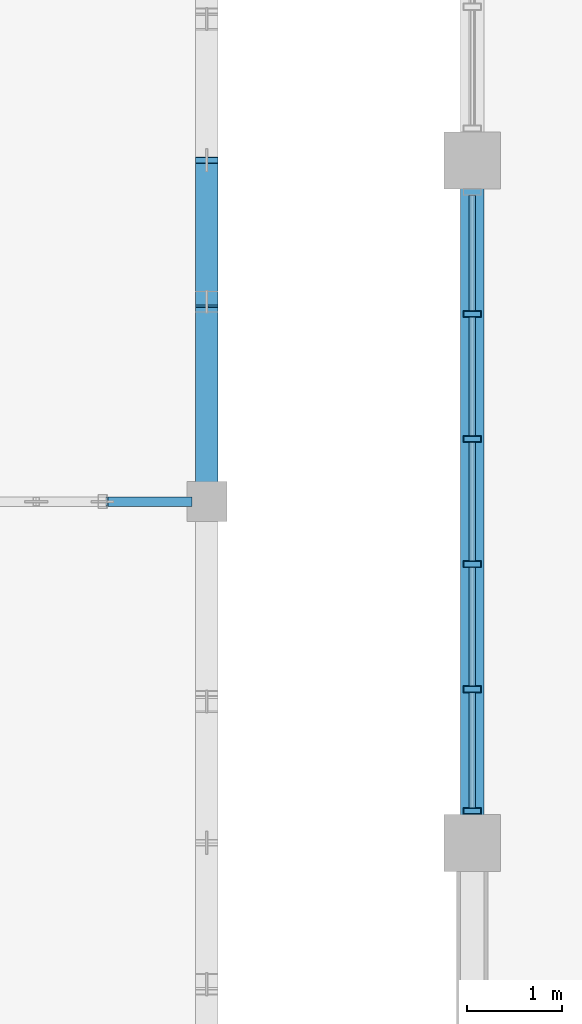
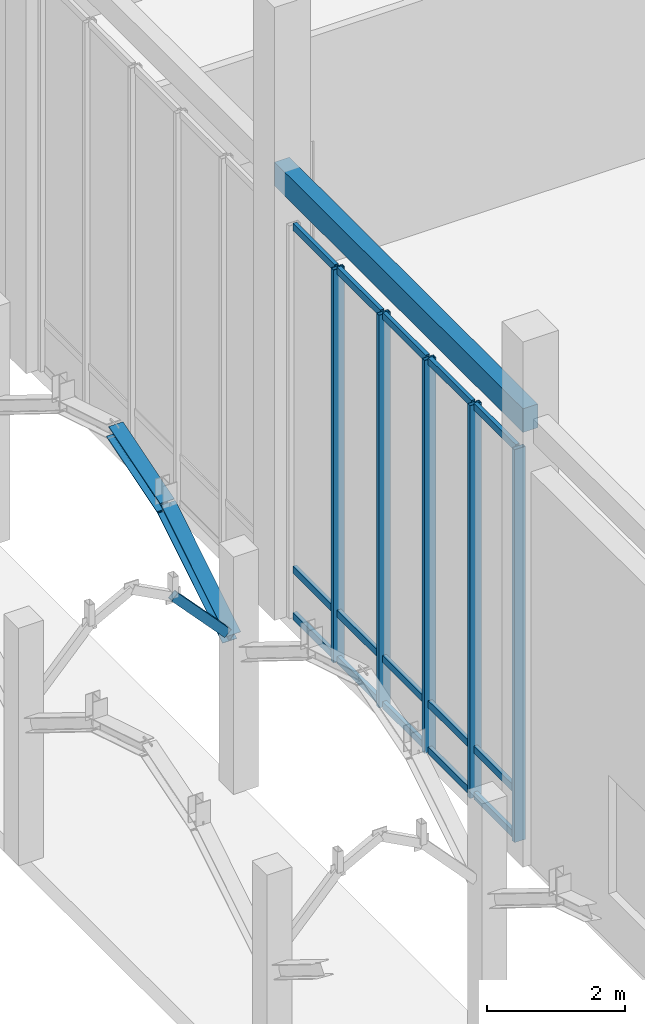
# One storey, part 23 of 138: 23 members, 1 beam, 1 element without a shape of its own.
"""IFC4 building model written with IfcOpenShell, lengths in metres."""

from ifc_helpers import new_model, si_unit, direction, frame, origin, origin_2d, place, context, subcontext, project, spatial, rectangle, hollow_rectangle, i_section, extrude, material, layer, layer_set, material_profile, profile_set, type_object, element, aggregate, save


model = new_model("IFC4")

# Units and contexts
model_context = context("Model", 3, precision=1e-05, world=origin(), true_north=direction((0.0, 1.0)))
body_context = subcontext(model_context, "Body", "Model", "MODEL_VIEW")
ifc_project = project(units=[si_unit("LENGTHUNIT", "METRE"), si_unit("AREAUNIT", "SQUARE_METRE"), si_unit("VOLUMEUNIT", "CUBIC_METRE"), si_unit("PLANEANGLEUNIT", "RADIAN"), si_unit("MASSUNIT", "GRAM", prefix="KILO"), si_unit("THERMODYNAMICTEMPERATUREUNIT", "KELVIN"), si_unit("POWERUNIT", "WATT")], contexts=[model_context])

# Site, building, storey
site_placement = place(None, origin())
site = spatial("IfcSite", under=ifc_project, at=site_placement, CompositionType="ELEMENT")
building_placement = place(site_placement, origin())
building = spatial("IfcBuilding", under=site, at=building_placement, Name="Tavuni Mirador Residences", CompositionType="ELEMENT")
storey_placement = place(building_placement, origin())
storey = spatial("IfcBuildingStorey", under=building, at=storey_placement, Name="L00", CompositionType="ELEMENT", Elevation=0.0)

# Beam
ifc_material_1 = material(Name="Precast concrete C40/50", Category="concrete")
ifc_material_profile_1 = material_profile(ifc_material_1, rectangle(XDim=0.25, YDim=0.419921875, at=origin_2d()), Name="PC 250x420", Category="concrete")
ifc_profile_set_1 = profile_set([ifc_material_profile_1], Name="Precast concrete C40/50")
beam_type = type_object("IfcBeamType", Name="BT-SP420", PredefinedType="SPANDREL", material=ifc_profile_set_1)
beam_placement = place(storey_placement, frame((39.60009765625, 79.199951171875, 7.659912109375), z_axis=(0.0, 1.0, 0.0), x_axis=(-1.0, 0.0, 0.0)))
element("IfcBeam", 1, at=beam_placement, inside=storey, type_object=beam_type, Name="BMY-PAV-HALL-L00-00-01", PredefinedType="SPANDREL", context=body_context, shape_type="SweptSolid", body=[
    extrude(rectangle(XDim=0.25, YDim=0.419921875, at=origin_2d()), origin(), (0.0, 0.0, 1.0), 7.199951171875),
])

# Curtain wall, members
ifc_material_2 = material(Name="Anodised aluminium", Category="aluminium")
ifc_layer = layer(ifc_material_2, 0.199951171875, Name="Anodised aluminium", Category="aluminium")
ifc_layer_set = layer_set([ifc_layer], Name="Anodised aluminium")
curtain_wall_type = type_object("IfcCurtainWallType", Name="CWT-HAL-01", PredefinedType="NOTDEFINED", material=ifc_layer_set)
curtain_wall_placement = place(storey_placement, origin())
curtain_wall = element("IfcCurtainWall", 2, at=curtain_wall_placement, inside=storey, type_object=curtain_wall_type, Name="CW-PAV-HALL-L00-W01", PredefinedType="NOTDEFINED")
ifc_material_profile_2 = material_profile(ifc_material_2, hollow_rectangle(XDim=0.070068359375, YDim=0.18994140625, WallThickness=0.0048828125, at=origin_2d()), Name="ALU 70x190x5.0", Category="aluminium")
ifc_profile_set_2 = profile_set([ifc_material_profile_2], Name="Anodised aluminium")
member_type_1 = type_object("IfcMemberType", Name="CWM-190", PredefinedType="MULLION", material=ifc_profile_set_2)
member_1_placement = place(storey_placement, frame((39.60009765625, 84.780029296875, 0.0), z_axis=(0.0, 0.0, 1.0), x_axis=(0.0, -1.0, 0.0)))
member_1 = element("IfcMember", 3, at=member_1_placement, type_object=member_type_1, Name="CW-06 mullion 2", PredefinedType="MULLION", context=body_context, shape_type="SweptSolid", body=[
    extrude(hollow_rectangle(XDim=0.070068359375, YDim=0.18994140625, WallThickness=0.0048828125, at=origin_2d()), origin(), (0.0, 0.0, 1.0), 6.949951171875),
])
member_2_placement = place(storey_placement, frame((39.60009765625, 83.4599609375, 0.0), z_axis=(0.0, 0.0, 1.0), x_axis=(0.0, -1.0, 0.0)))
member_2 = element("IfcMember", 4, at=member_2_placement, type_object=member_type_1, Name="CW-06 mullion 3", PredefinedType="MULLION", context=body_context, shape_type="SweptSolid", body=[
    extrude(hollow_rectangle(XDim=0.070068359375, YDim=0.18994140625, WallThickness=0.0048828125, at=origin_2d()), origin(), (0.0, 0.0, 1.0), 6.949951171875),
])
member_3_placement = place(storey_placement, frame((39.60009765625, 82.139892578125, 0.0), z_axis=(0.0, 0.0, 1.0), x_axis=(0.0, -1.0, 0.0)))
member_3 = element("IfcMember", 5, at=member_3_placement, type_object=member_type_1, Name="CW-06 mullion 4", PredefinedType="MULLION", context=body_context, shape_type="SweptSolid", body=[
    extrude(hollow_rectangle(XDim=0.070068359375, YDim=0.18994140625, WallThickness=0.0048828125, at=origin_2d()), origin(), (0.0, 0.0, 1.0), 6.949951171875),
])
member_4_placement = place(storey_placement, frame((39.60009765625, 80.820068359375, 0.0), z_axis=(0.0, 0.0, 1.0), x_axis=(0.0, -1.0, 0.0)))
member_4 = element("IfcMember", 6, at=member_4_placement, type_object=member_type_1, Name="CW-06 mullion 5", PredefinedType="MULLION", context=body_context, shape_type="SweptSolid", body=[
    extrude(hollow_rectangle(XDim=0.070068359375, YDim=0.18994140625, WallThickness=0.0048828125, at=origin_2d()), origin(), (0.0, 0.0, 1.0), 6.949951171875),
])
member_5_placement = place(storey_placement, frame((39.60009765625, 79.534912109375, 0.0), z_axis=(0.0, 0.0, 1.0), x_axis=(0.0, -1.0, 0.0)))
member_5 = element("IfcMember", 7, at=member_5_placement, type_object=member_type_1, Name="CW-06 mullion 6", PredefinedType="MULLION", context=body_context, shape_type="SweptSolid", body=[
    extrude(hollow_rectangle(XDim=0.070068359375, YDim=0.18994140625, WallThickness=0.0048828125, at=origin_2d()), origin(), (0.0, 0.0, 1.0), 6.949951171875),
])
ifc_material_profile_3 = material_profile(ifc_material_2, hollow_rectangle(XDim=0.06494140625, YDim=0.125, WallThickness=0.00439453125, at=origin_2d()), Name="ALU 65x125x4.5", Category="aluminium")
ifc_profile_set_3 = profile_set([ifc_material_profile_3], Name="Anodised aluminium")
member_type_2 = type_object("IfcMemberType", Name="CWT-125", PredefinedType="USERDEFINED", material=ifc_profile_set_3)
member_6_placement = place(storey_placement, frame((39.60009765625, 86.030029296875, 0.032470703125), z_axis=(0.0, -1.0, 0.0), x_axis=(1.0, 0.0, 0.0)))
member_6 = element("IfcMember", 8, at=member_6_placement, type_object=member_type_2, Name="CW-06 transom 1.1", ObjectType="TRANSOM", PredefinedType="USERDEFINED", context=body_context, shape_type="SweptSolid", body=[
    extrude(hollow_rectangle(XDim=0.06494140625, YDim=0.125, WallThickness=0.00439453125, at=origin_2d()), origin(), (0.0, 0.0, 1.0), 1.215087890625),
])
member_7_placement = place(storey_placement, frame((39.60009765625, 86.030029296875, 0.85009765625), z_axis=(0.0, -1.0, 0.0), x_axis=(1.0, 0.0, 0.0)))
member_7 = element("IfcMember", 9, at=member_7_placement, type_object=member_type_2, Name="CW-06 transom 1.2", ObjectType="TRANSOM", PredefinedType="USERDEFINED", context=body_context, shape_type="SweptSolid", body=[
    extrude(hollow_rectangle(XDim=0.06494140625, YDim=0.125, WallThickness=0.00439453125, at=origin_2d()), origin(), (0.0, 0.0, 1.0), 1.215087890625),
])
member_8_placement = place(storey_placement, frame((39.60009765625, 86.030029296875, 6.91748046875), z_axis=(0.0, -1.0, 0.0), x_axis=(1.0, 0.0, 0.0)))
member_8 = element("IfcMember", 10, at=member_8_placement, type_object=member_type_2, Name="CW-06 transom 1.3", ObjectType="TRANSOM", PredefinedType="USERDEFINED", context=body_context, shape_type="SweptSolid", body=[
    extrude(hollow_rectangle(XDim=0.06494140625, YDim=0.125, WallThickness=0.00439453125, at=origin_2d()), origin(), (0.0, 0.0, 1.0), 1.215087890625),
])
member_9_placement = place(storey_placement, frame((39.60009765625, 84.7451171875, 0.032470703125), z_axis=(0.0, -1.0, 0.0), x_axis=(1.0, 0.0, 0.0)))
member_9 = element("IfcMember", 11, at=member_9_placement, type_object=member_type_2, Name="CW-06 transom 2.1", ObjectType="TRANSOM", PredefinedType="USERDEFINED", context=body_context, shape_type="SweptSolid", body=[
    extrude(hollow_rectangle(XDim=0.06494140625, YDim=0.125, WallThickness=0.00439453125, at=origin_2d()), origin(), (0.0, 0.0, 1.0), 1.25),
])
member_10_placement = place(storey_placement, frame((39.60009765625, 84.7451171875, 0.85009765625), z_axis=(0.0, -1.0, 0.0), x_axis=(1.0, 0.0, 0.0)))
member_10 = element("IfcMember", 12, at=member_10_placement, type_object=member_type_2, Name="CW-06 transom 2.2", ObjectType="TRANSOM", PredefinedType="USERDEFINED", context=body_context, shape_type="SweptSolid", body=[
    extrude(hollow_rectangle(XDim=0.06494140625, YDim=0.125, WallThickness=0.00439453125, at=origin_2d()), origin(), (0.0, 0.0, 1.0), 1.25),
])
member_11_placement = place(storey_placement, frame((39.60009765625, 84.7451171875, 6.91748046875), z_axis=(0.0, -1.0, 0.0), x_axis=(1.0, 0.0, 0.0)))
member_11 = element("IfcMember", 13, at=member_11_placement, type_object=member_type_2, Name="CW-06 transom 2.3", ObjectType="TRANSOM", PredefinedType="USERDEFINED", context=body_context, shape_type="SweptSolid", body=[
    extrude(hollow_rectangle(XDim=0.06494140625, YDim=0.125, WallThickness=0.00439453125, at=origin_2d()), origin(), (0.0, 0.0, 1.0), 1.25),
])
member_12_placement = place(storey_placement, frame((39.60009765625, 83.425048828125, 0.032470703125), z_axis=(0.0, -1.0, 0.0), x_axis=(1.0, 0.0, 0.0)))
member_12 = element("IfcMember", 14, at=member_12_placement, type_object=member_type_2, Name="CW-06 transom 3.1", ObjectType="TRANSOM", PredefinedType="USERDEFINED", context=body_context, shape_type="SweptSolid", body=[
    extrude(hollow_rectangle(XDim=0.06494140625, YDim=0.125, WallThickness=0.00439453125, at=origin_2d()), origin(), (0.0, 0.0, 1.0), 1.25),
])
member_13_placement = place(storey_placement, frame((39.60009765625, 83.425048828125, 0.85009765625), z_axis=(0.0, -1.0, 0.0), x_axis=(1.0, 0.0, 0.0)))
member_13 = element("IfcMember", 15, at=member_13_placement, type_object=member_type_2, Name="CW-06 transom 3.2", ObjectType="TRANSOM", PredefinedType="USERDEFINED", context=body_context, shape_type="SweptSolid", body=[
    extrude(hollow_rectangle(XDim=0.06494140625, YDim=0.125, WallThickness=0.00439453125, at=origin_2d()), origin(), (0.0, 0.0, 1.0), 1.25),
])
member_14_placement = place(storey_placement, frame((39.60009765625, 83.425048828125, 6.91748046875), z_axis=(0.0, -1.0, 0.0), x_axis=(1.0, 0.0, 0.0)))
member_14 = element("IfcMember", 16, at=member_14_placement, type_object=member_type_2, Name="CW-06 transom 3.3", ObjectType="TRANSOM", PredefinedType="USERDEFINED", context=body_context, shape_type="SweptSolid", body=[
    extrude(hollow_rectangle(XDim=0.06494140625, YDim=0.125, WallThickness=0.00439453125, at=origin_2d()), origin(), (0.0, 0.0, 1.0), 1.25),
])
member_15_placement = place(storey_placement, frame((39.60009765625, 82.10498046875, 0.032470703125), z_axis=(0.0, -1.0, 0.0), x_axis=(1.0, 0.0, 0.0)))
member_15 = element("IfcMember", 17, at=member_15_placement, type_object=member_type_2, Name="CW-06 transom 4.1", ObjectType="TRANSOM", PredefinedType="USERDEFINED", context=body_context, shape_type="SweptSolid", body=[
    extrude(hollow_rectangle(XDim=0.06494140625, YDim=0.125, WallThickness=0.00439453125, at=origin_2d()), origin(), (0.0, 0.0, 1.0), 1.25),
])
member_16_placement = place(storey_placement, frame((39.60009765625, 82.10498046875, 0.85009765625), z_axis=(0.0, -1.0, 0.0), x_axis=(1.0, 0.0, 0.0)))
member_16 = element("IfcMember", 18, at=member_16_placement, type_object=member_type_2, Name="CW-06 transom 4.2", ObjectType="TRANSOM", PredefinedType="USERDEFINED", context=body_context, shape_type="SweptSolid", body=[
    extrude(hollow_rectangle(XDim=0.06494140625, YDim=0.125, WallThickness=0.00439453125, at=origin_2d()), origin(), (0.0, 0.0, 1.0), 1.25),
])
member_17_placement = place(storey_placement, frame((39.60009765625, 82.10498046875, 6.91748046875), z_axis=(0.0, -1.0, 0.0), x_axis=(1.0, 0.0, 0.0)))
member_17 = element("IfcMember", 19, at=member_17_placement, type_object=member_type_2, Name="CW-06 transom 4.3", ObjectType="TRANSOM", PredefinedType="USERDEFINED", context=body_context, shape_type="SweptSolid", body=[
    extrude(hollow_rectangle(XDim=0.06494140625, YDim=0.125, WallThickness=0.00439453125, at=origin_2d()), origin(), (0.0, 0.0, 1.0), 1.25),
])
member_18_placement = place(storey_placement, frame((39.60009765625, 80.784912109375, 0.032470703125), z_axis=(0.0, -1.0, 0.0), x_axis=(1.0, 0.0, 0.0)))
member_18 = element("IfcMember", 20, at=member_18_placement, type_object=member_type_2, Name="CW-06 transom 5.1", ObjectType="TRANSOM", PredefinedType="USERDEFINED", context=body_context, shape_type="SweptSolid", body=[
    extrude(hollow_rectangle(XDim=0.06494140625, YDim=0.125, WallThickness=0.00439453125, at=origin_2d()), origin(), (0.0, 0.0, 1.0), 1.21484375),
])
member_19_placement = place(storey_placement, frame((39.60009765625, 80.784912109375, 0.85009765625), z_axis=(0.0, -1.0, 0.0), x_axis=(1.0, 0.0, 0.0)))
member_19 = element("IfcMember", 21, at=member_19_placement, type_object=member_type_2, Name="CW-06 transom 5.2", ObjectType="TRANSOM", PredefinedType="USERDEFINED", context=body_context, shape_type="SweptSolid", body=[
    extrude(hollow_rectangle(XDim=0.06494140625, YDim=0.125, WallThickness=0.00439453125, at=origin_2d()), origin(), (0.0, 0.0, 1.0), 1.21484375),
])
member_20_placement = place(storey_placement, frame((39.60009765625, 80.784912109375, 6.91748046875), z_axis=(0.0, -1.0, 0.0), x_axis=(1.0, 0.0, 0.0)))
member_20 = element("IfcMember", 22, at=member_20_placement, type_object=member_type_2, Name="CW-06 transom 5.3", ObjectType="TRANSOM", PredefinedType="USERDEFINED", context=body_context, shape_type="SweptSolid", body=[
    extrude(hollow_rectangle(XDim=0.06494140625, YDim=0.125, WallThickness=0.00439453125, at=origin_2d()), origin(), (0.0, 0.0, 1.0), 1.21484375),
])
aggregate(curtain_wall, [member_1, member_2, member_3, member_4, member_5, member_6, member_7, member_8, member_9, member_10, member_11, member_12, member_13, member_14, member_15, member_16, member_17, member_18, member_19, member_20])

# Members
ifc_material_3 = material(Name="Structural steel S355", Category="steel")
ifc_material_profile_4 = material_profile(ifc_material_3, hollow_rectangle(XDim=0.10009765625, YDim=0.14990234375, WallThickness=0.008056640625, at=origin_2d()), Name="RHS 150x100x8.0", Category="steel")
ifc_profile_set_4 = profile_set([ifc_material_profile_4], Name="Structural steel S355")
member_type_3 = type_object("IfcMemberType", Name="MT-BR-RHS150", PredefinedType="BRACE", material=ifc_profile_set_4)
member_21_placement = place(storey_placement, frame((35.69970703125, 82.800048828125, 3.70751953125), z_axis=(0.680966584085, 0.0, -0.732314489383), x_axis=(0.0, 1.0, 0.0)))
element("IfcMember", 23, at=member_21_placement, inside=storey, type_object=member_type_3, Name="ARCH-COLO-T-04-H2", PredefinedType="BRACE", context=body_context, shape_type="SweptSolid", body=[
    extrude(hollow_rectangle(XDim=0.10009765625, YDim=0.14990234375, WallThickness=0.008056640625, at=origin_2d()), origin(), (0.0, 0.0, 1.0), 1.3076171875),
])
ifc_material_profile_5 = material_profile(ifc_material_3, i_section(OverallWidth=0.239990234375, OverallDepth=0.22998046875, WebThickness=0.007568359375, FlangeThickness=0.011962890625, FilletRadius=0.02099609375, at=origin_2d()), Name="HEA 240", Category="steel")
ifc_profile_set_5 = profile_set([ifc_material_profile_5], Name="Structural steel S355")
member_type_4 = type_object("IfcMemberType", Name="MT-CH-HEA240", PredefinedType="CHORD", material=ifc_profile_set_5)
member_22_placement = place(storey_placement, frame((36.800048828125, 83.010009765625, 2.449951171875), z_axis=(0.0, 0.850593680007, 0.525823536496), x_axis=(-1.0, 0.0, 0.0)))
element("IfcMember", 24, at=member_22_placement, inside=storey, type_object=member_type_4, Name="ARCH-COLO-E-04-H1", PredefinedType="CHORD", context=body_context, shape_type="SweptSolid", body=[
    extrude(i_section(OverallWidth=0.239990234375, OverallDepth=0.22998046875, WebThickness=0.007568359375, FlangeThickness=0.011962890625, FilletRadius=0.02099609375, at=origin_2d()), origin(), (0.0, 0.0, 1.0), 2.23193359375),
])
member_23_placement = place(storey_placement, frame((36.800048828125, 84.908447265625, 3.62353515625), z_axis=(0.0, 0.956204425804, 0.292699668727), x_axis=(-1.0, 0.0, 0.0)))
element("IfcMember", 25, at=member_23_placement, inside=storey, type_object=member_type_4, Name="ARCH-COLO-E-04-S1", PredefinedType="CHORD", context=body_context, shape_type="SweptSolid", body=[
    extrude(i_section(OverallWidth=0.239990234375, OverallDepth=0.22998046875, WebThickness=0.007568359375, FlangeThickness=0.011962890625, FilletRadius=0.02099609375, at=origin_2d()), origin(), (0.0, 0.0, 1.0), 1.559814453125),
])

save(model, "model.ifc")
